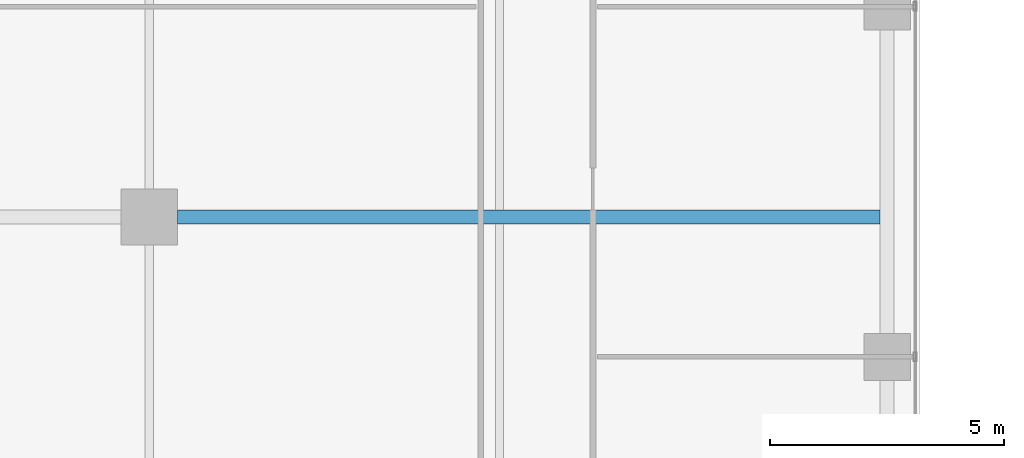
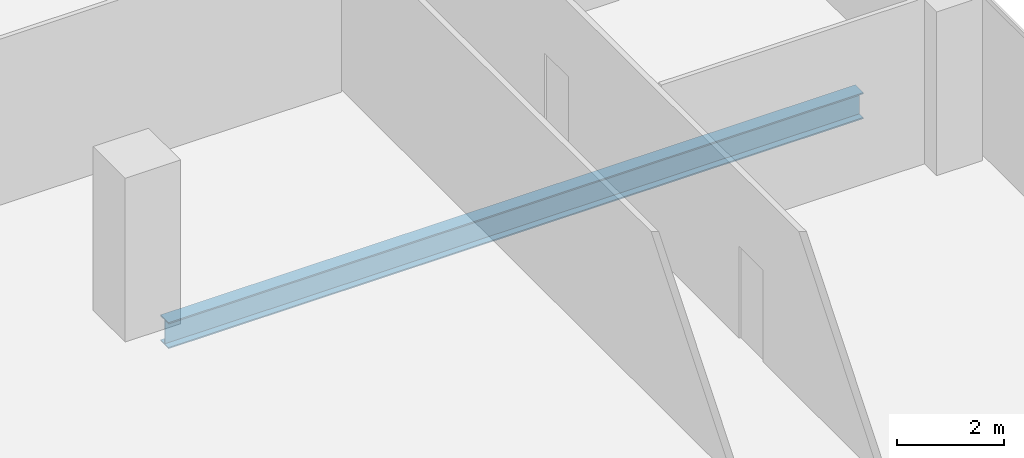
# One storey, part 13 of 40: 1 beam.
"""IFC4 building model written with IfcOpenShell, lengths in metres."""

from ifc_helpers import new_model, si_unit, direction, frame, origin, origin_2d, place, context, subcontext, project, spatial, i_section, extrude, source, transform, mapped, material, material_profile, profile_set, type_object, element, save


model = new_model("IFC4")

# Units and contexts
model_context = context("Model", 3, precision=1e-05, world=origin(), true_north=direction((0.0, 1.0)))
body_context = subcontext(model_context, "Body", "Model", "MODEL_VIEW")
ifc_project = project(units=[si_unit("LENGTHUNIT", "METRE"), si_unit("AREAUNIT", "SQUARE_METRE"), si_unit("VOLUMEUNIT", "CUBIC_METRE"), si_unit("PLANEANGLEUNIT", "RADIAN"), si_unit("MASSUNIT", "GRAM", prefix="KILO")], contexts=[model_context])

# Site, building, storey
site_placement = place(None, origin())
site = spatial("IfcSite", under=ifc_project, at=site_placement, CompositionType="ELEMENT")
building_placement = place(site_placement, origin())
building = spatial("IfcBuilding", under=site, at=building_placement, Name="Khomas Fold Tower", CompositionType="ELEMENT")
storey_placement = place(building_placement, frame((0.0, 0.0, 192.699951171875)))
storey = spatial("IfcBuildingStorey", under=building, at=storey_placement, Name="L42", CompositionType="ELEMENT", Elevation=192.699951171875)

# Beam
ifc_material = material(Name="Steel S355", Category="steel")
ifc_material_profile = material_profile(ifc_material, i_section(OverallWidth=0.300048828125, OverallDepth=0.60009765625, WebThickness=0.015380859375, FlangeThickness=0.030029296875, at=origin_2d()), Name="HE 600 B")
ifc_profile_set = profile_set([ifc_material_profile], Name="Steel S355")
beam_type = type_object("IfcBeamType", Name="HE 600 B beam GB5", PredefinedType="BEAM", material=ifc_profile_set)
shared_shape = source(origin(), body_context, "Body", "SweptSolid", [
    extrude(i_section(OverallWidth=0.300048828125, OverallDepth=0.60009765625, WebThickness=0.015380859375, FlangeThickness=0.030029296875, at=origin_2d()), origin(), (0.0, 0.0, 1.0), 15.0498046875),
])
beam_placement = place(storey_placement, frame((35.10009765625, 22.5, -0.550048828125), z_axis=(1.0, 0.0, 0.0), x_axis=(0.0, 1.0, 0.0)))
element("IfcBeam", 1, at=beam_placement, inside=storey, type_object=beam_type, Name="GB5", PredefinedType="BEAM", context=body_context, shape_type="MappedRepresentation", body=[
    mapped(shared_shape, transform((0.0, 0.0, 0.0))),
])

save(model, "model.ifc")
